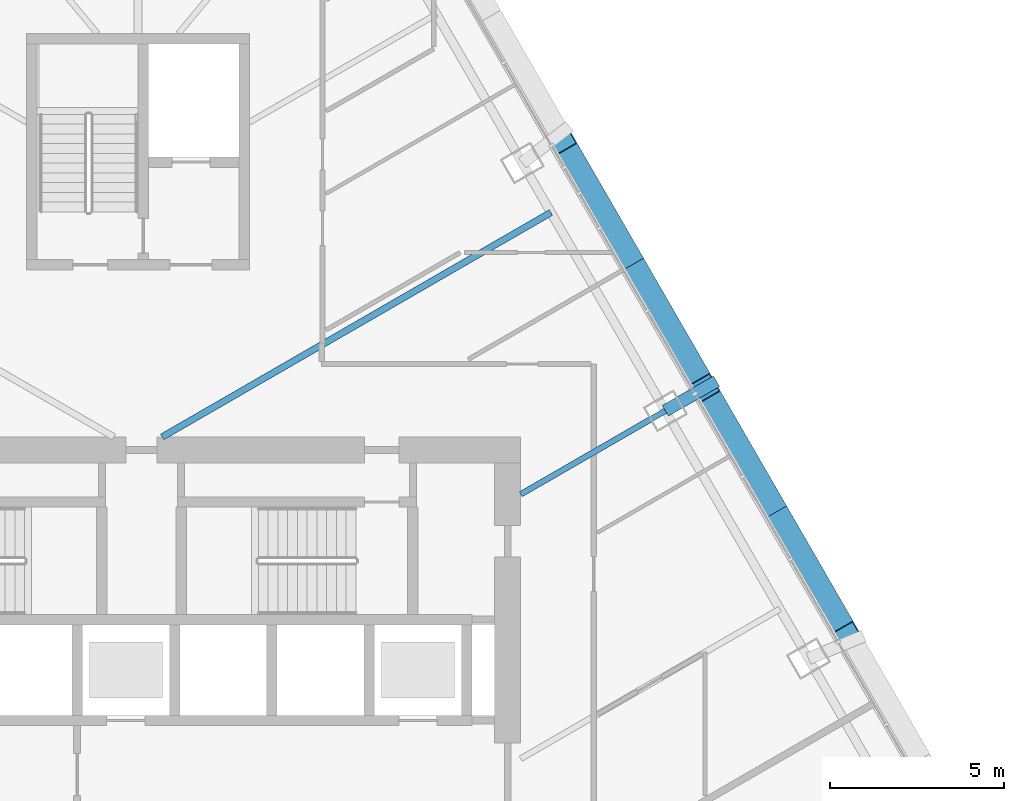
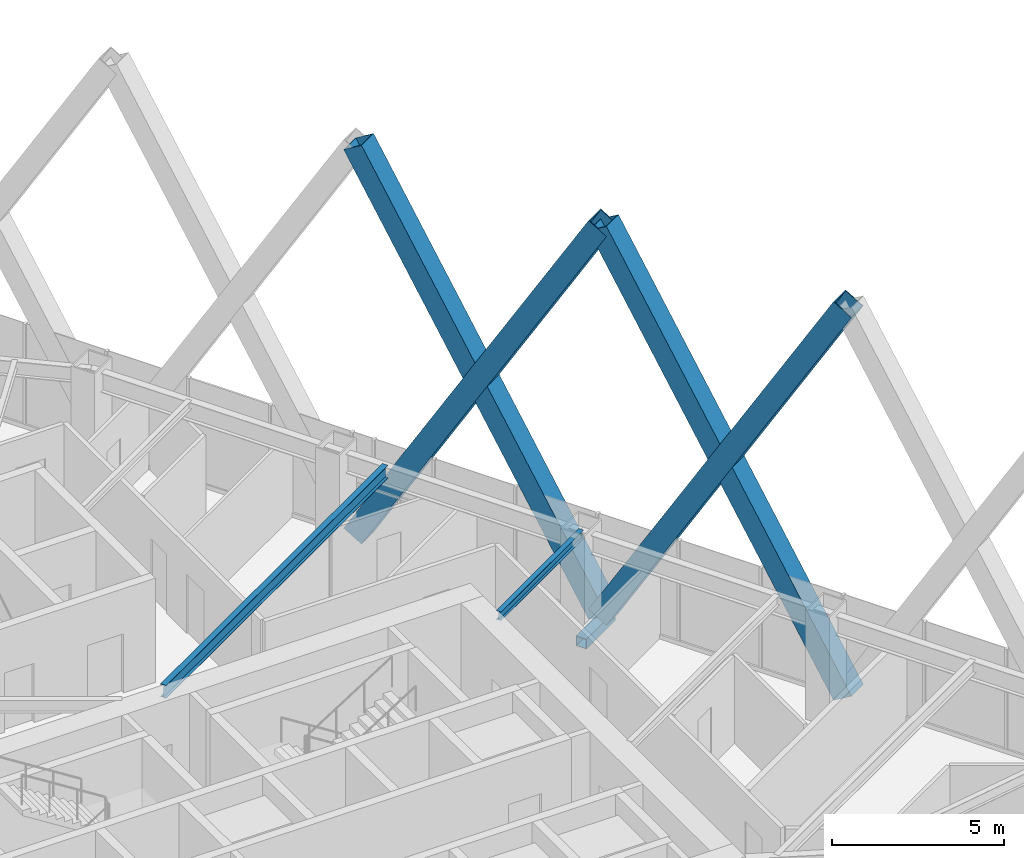
# One storey, part 8 of 19: 5 members, 2 beams.
"""IFC4 building model written with IfcOpenShell, lengths in metres."""

from ifc_helpers import new_model, si_unit, direction, frame, origin, origin_2d, place, context, subcontext, project, spatial, hollow_rectangle, i_section, extrude, material, material_profile, profile_set, type_object, element, save


model = new_model("IFC4")

# Units and contexts
model_context = context("Model", 3, precision=1e-05, world=origin(), true_north=direction((0.0, 1.0)))
body_context = subcontext(model_context, "Body", "Model", "MODEL_VIEW")
ifc_project = project(units=[si_unit("LENGTHUNIT", "METRE"), si_unit("AREAUNIT", "SQUARE_METRE"), si_unit("VOLUMEUNIT", "CUBIC_METRE"), si_unit("PLANEANGLEUNIT", "RADIAN"), si_unit("MASSUNIT", "GRAM", prefix="KILO")], contexts=[model_context])

# Site, building, storey
site_placement = place(None, origin())
site = spatial("IfcSite", under=ifc_project, at=site_placement, CompositionType="ELEMENT")
building_placement = place(site_placement, origin())
building = spatial("IfcBuilding", under=site, at=building_placement, Name="Firuza Gate Tower and Library", CompositionType="ELEMENT")
storey_placement = place(building_placement, frame((0.0, 0.0, 233.800048828125)))
storey = spatial("IfcBuildingStorey", under=building, at=storey_placement, Name="L55", CompositionType="ELEMENT", Elevation=233.800048828125)

# Members
ifc_material_1 = material(Name="Steel S355", Category="steel")
ifc_material_profile_1 = material_profile(ifc_material_1, hollow_rectangle(XDim=0.699951171875, YDim=0.699951171875, WallThickness=0.030029296875, at=origin_2d()))
ifc_profile_set_1 = profile_set([ifc_material_profile_1], Name="Steel S355")
member_type_1 = type_object("IfcMemberType", Name="BU700x700x30 Lattice brace", PredefinedType="BRACE", material=ifc_profile_set_1)
for number, where, z_axis, x_axis, name in (
    (1, (95.3974609375, 77.278564453125, 0.0), (-0.256001119482, 0.443405002033, 0.858985116865), (-0.866024454709, -0.500001643842, 0.0), "Lattice brace E 13.3R"),
    (2, (91.28466796875, 84.402099609375, 0.0), (0.256001119482, -0.443405002033, 0.858985116865), (0.866024454709, 0.500001643842, 0.0), "Lattice brace E 13.3L"),
    (3, (91.28466796875, 84.402099609375, 0.0), (-0.256001119482, 0.443405002033, 0.858985116865), (-0.866024454709, -0.500001643842, 0.0), "Lattice brace E 13.4R"),
    (4, (87.171875, 91.525634765625, 0.0), (0.256001119482, -0.443405002033, 0.858985116865), (0.866024454709, 0.500001643842, 0.0), "Lattice brace E 13.4L"),
):
    element("IfcMember", number, at=place(storey_placement, frame(where, z_axis=z_axis, x_axis=x_axis)), inside=storey, type_object=member_type_1, Name=name, PredefinedType="BRACE", context=body_context, shape_type="SweptSolid", body=[
        extrude(hollow_rectangle(XDim=0.699951171875, YDim=0.699951171875, WallThickness=0.030029296875, at=origin_2d()), origin(), (0.0, 0.0, 1.0), 16.0654296875),
    ])
ifc_material_2 = material(Name="Steel S355", Category="steel")
ifc_material_profile_2 = material_profile(ifc_material_2, hollow_rectangle(XDim=0.355712890625, YDim=0.355712890625, WallThickness=0.014892578125, at=origin_2d()))
ifc_profile_set_2 = profile_set([ifc_material_profile_2], Name="Steel S355")
member_type_2 = type_object("IfcMemberType", Name="HSS356x356x16 Lattice node tie", PredefinedType="BRACE", material=ifc_profile_set_2)
member_placement = place(storey_placement, frame((90.158935546875, 83.751953125, -0.320068359375), z_axis=(0.865996484538, 0.500050086259, 0.0), x_axis=(-0.500050086259, 0.865996484538, 0.0)))
element("IfcMember", 5, at=member_placement, inside=storey, type_object=member_type_2, Name="Lattice node tie E L55 294", PredefinedType="BRACE", context=body_context, shape_type="SweptSolid", body=[
    extrude(hollow_rectangle(XDim=0.355712890625, YDim=0.355712890625, WallThickness=0.014892578125, at=origin_2d()), origin(), (0.0, 0.0, 1.0), 1.698486328125),
])

# Beams
ifc_material_3 = material(Name="Steel S355", Category="steel")
ifc_material_profile_3 = material_profile(ifc_material_3, i_section(OverallWidth=0.1650390625, OverallDepth=0.31005859375, WebThickness=0.005859375, FlangeThickness=0.009765625, at=origin_2d()))
ifc_profile_set_3 = profile_set([ifc_material_profile_3], Name="Steel S355")
beam_type_1 = type_object("IfcBeamType", Name="W310x39 Floor beam", PredefinedType="JOIST", material=ifc_profile_set_3)
beam_1_placement = place(storey_placement, frame((90.158935546875, 83.751953125, 3.544921875), z_axis=(-0.866028966346, -0.499993829411, 0.0), x_axis=(0.499993829411, -0.866028966346, 0.0)))
element("IfcBeam", 6, at=beam_1_placement, inside=storey, type_object=beam_type_1, Name="Floor beam L55 s52", PredefinedType="JOIST", context=body_context, shape_type="SweptSolid", body=[
    extrude(i_section(OverallWidth=0.1650390625, OverallDepth=0.31005859375, WebThickness=0.005859375, FlangeThickness=0.009765625, at=origin_2d()), origin(), (0.0, 0.0, 1.0), 4.80224609375),
])
ifc_material_4 = material(Name="Steel S355", Category="steel")
ifc_material_profile_4 = material_profile(ifc_material_4, i_section(OverallWidth=0.18994140625, OverallDepth=0.45703125, WebThickness=0.009033203125, FlangeThickness=0.014404296875, at=origin_2d()))
ifc_profile_set_4 = profile_set([ifc_material_profile_4], Name="Steel S355")
beam_type_2 = type_object("IfcBeamType", Name="W460x74 Floor beam", PredefinedType="JOIST", material=ifc_profile_set_4)
beam_2_placement = place(storey_placement, frame((86.86865234375, 89.450927734375, 3.471435546875), z_axis=(-0.866020774712, -0.500008017704, 0.0), x_axis=(0.500008017704, -0.866020774712, 0.0)))
element("IfcBeam", 7, at=beam_2_placement, inside=storey, type_object=beam_type_2, Name="Floor beam L55 s53", PredefinedType="JOIST", context=body_context, shape_type="SweptSolid", body=[
    extrude(i_section(OverallWidth=0.18994140625, OverallDepth=0.45703125, WebThickness=0.009033203125, FlangeThickness=0.014404296875, at=origin_2d()), origin(), (0.0, 0.0, 1.0), 12.901611328125),
])

save(model, "model.ifc")
